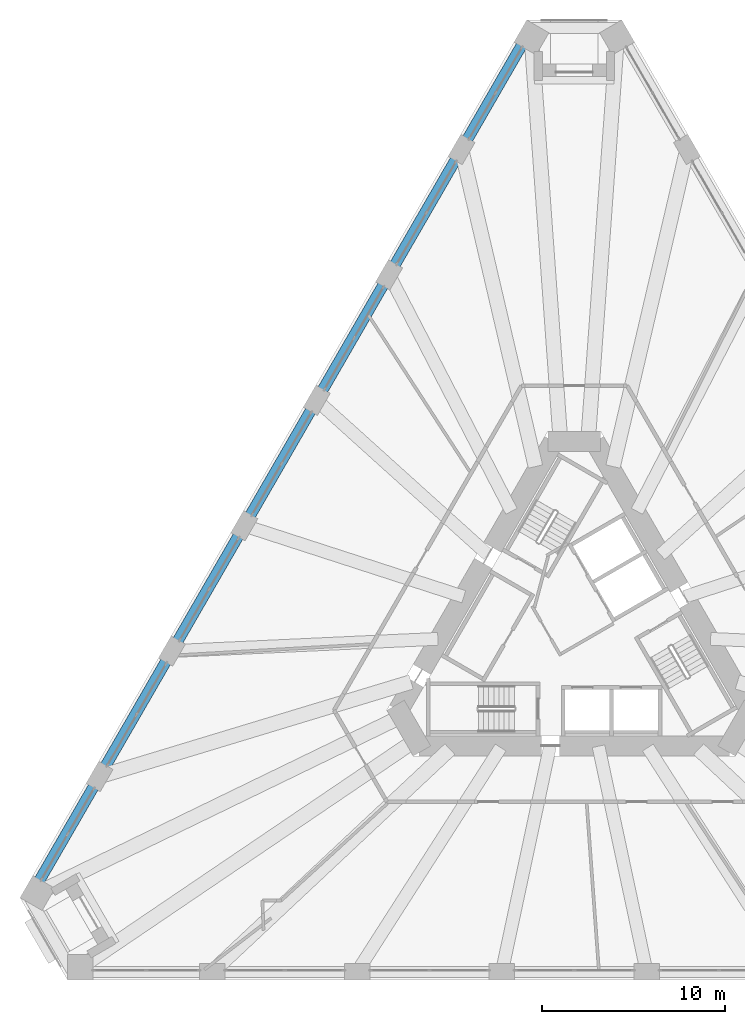
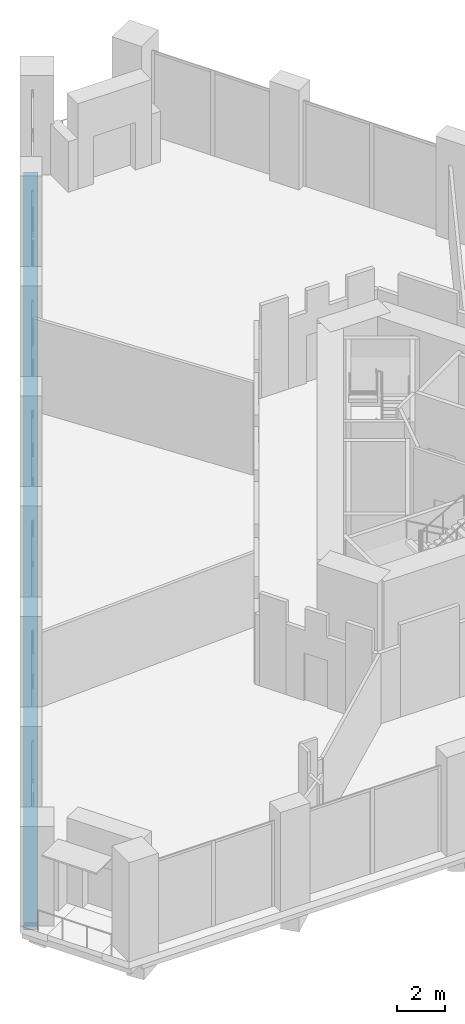
# One storey, part 5 of 20: 1 beam.
"""IFC4 building model written with IfcOpenShell, lengths in metres."""

from ifc_helpers import new_model, si_unit, direction, frame, origin, origin_2d, place, context, subcontext, project, spatial, rectangle, extrude, material, material_profile, profile_set, type_object, element, save


model = new_model("IFC4")

# Units and contexts
model_context = context("Model", 3, precision=1e-05, world=origin(), true_north=direction((0.0, 1.0)))
body_context = subcontext(model_context, "Body", "Model", "MODEL_VIEW")
ifc_project = project(units=[si_unit("LENGTHUNIT", "METRE"), si_unit("AREAUNIT", "SQUARE_METRE"), si_unit("VOLUMEUNIT", "CUBIC_METRE"), si_unit("PLANEANGLEUNIT", "RADIAN"), si_unit("MASSUNIT", "GRAM", prefix="KILO")], contexts=[model_context])

# Site, building, storey
site_placement = place(None, origin())
site = spatial("IfcSite", under=ifc_project, at=site_placement, CompositionType="ELEMENT")
building_placement = place(site_placement, origin())
building = spatial("IfcBuilding", under=site, at=building_placement, Name="Tramontana Tower", CompositionType="ELEMENT")
storey_placement = place(building_placement, frame((0.0, 0.0, 15.0)))
storey = spatial("IfcBuildingStorey", under=building, at=storey_placement, Name="L02", CompositionType="ELEMENT", Elevation=15.0)

# Beam
ifc_material = material(Name="Concrete 40 MPa", Category="concrete")
ifc_material_profile = material_profile(ifc_material, rectangle(XDim=0.60009765625, YDim=0.35009765625, at=origin_2d()), Name="RC EDGE BEAM 600X350 40 MPa")
ifc_profile_set = profile_set([ifc_material_profile], Name="Concrete 40 MPa")
beam_type = type_object("IfcBeamType", Name="RC EDGE BEAM 600X350 40 MPa", PredefinedType="SPANDREL", material=ifc_profile_set)
beam_placement = place(storey_placement, frame((-2.558349609375, 32.668701171875, -0.52490234375), z_axis=(-0.500001490283, -0.866024543367, 0.0), x_axis=(0.866024543367, -0.500001490283, 0.0)))
element("IfcBeam", 1, at=beam_placement, inside=storey, type_object=beam_type, Name="Spandrel beam S0 L02", PredefinedType="SPANDREL", context=body_context, shape_type="SweptSolid", body=[
    extrude(rectangle(XDim=0.60009765625, YDim=0.35009765625, at=origin_2d()), origin(), (0.0, 0.0, 1.0), 54.025634765625),
])

save(model, "model.ifc")
